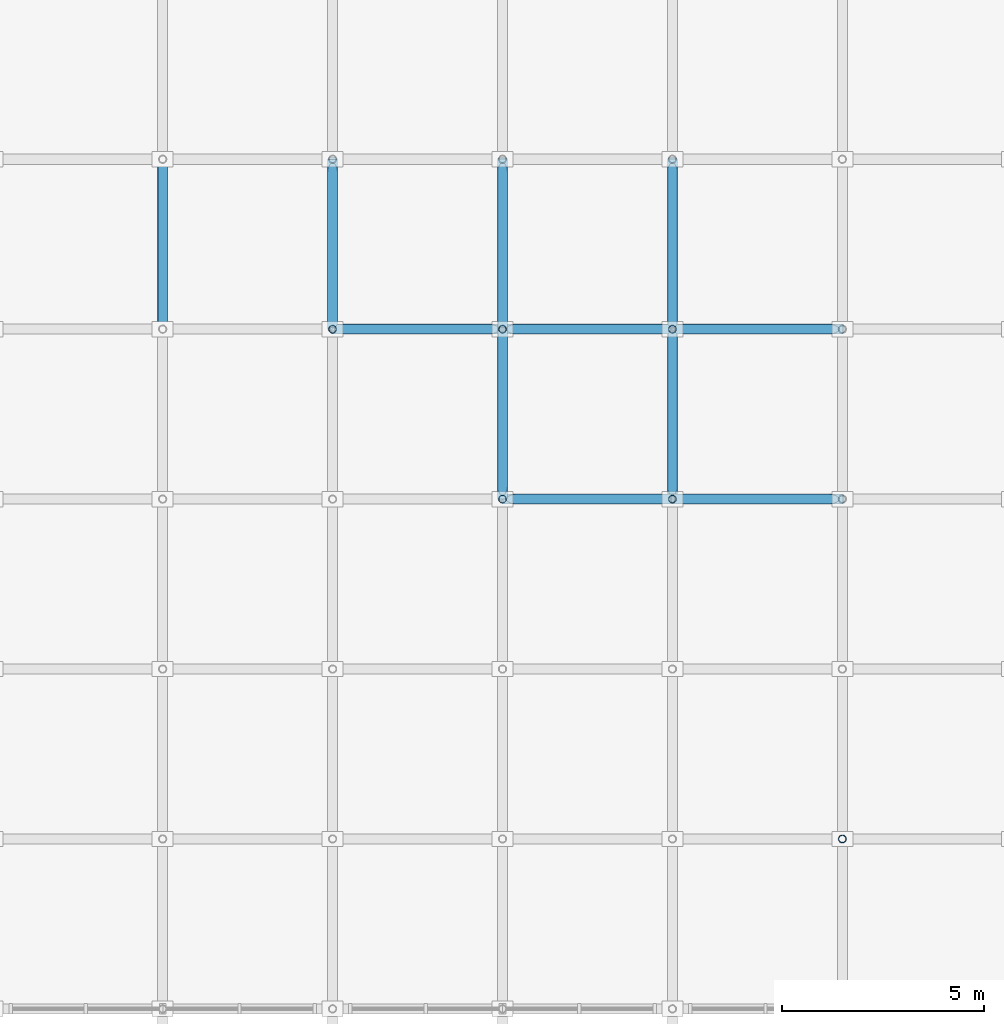
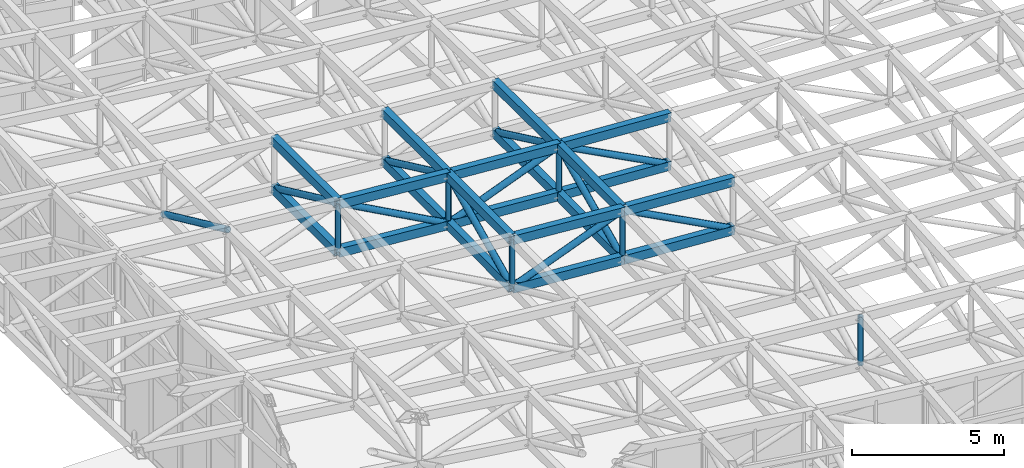
# One storey, part 27 of 111: 37 members.
"""IFC4 building model written with IfcOpenShell, lengths in metres."""

from ifc_helpers import new_model, si_unit, direction, frame, origin, origin_2d, place, context, subcontext, project, spatial, hollow_rectangle, hollow_circle, extrude, material, material_profile, profile_set, type_object, element, save


model = new_model("IFC4")

# Units and contexts
model_context = context("Model", 3, precision=1e-05, world=origin(), true_north=direction((0.0, 1.0)))
body_context = subcontext(model_context, "Body", "Model", "MODEL_VIEW")
ifc_project = project(units=[si_unit("LENGTHUNIT", "METRE"), si_unit("AREAUNIT", "SQUARE_METRE"), si_unit("VOLUMEUNIT", "CUBIC_METRE"), si_unit("PLANEANGLEUNIT", "RADIAN"), si_unit("MASSUNIT", "GRAM", prefix="KILO")], contexts=[model_context])

# Site, building, storey
site_placement = place(None, origin())
site = spatial("IfcSite", under=ifc_project, at=site_placement, CompositionType="ELEMENT")
building_placement = place(site_placement, origin())
building = spatial("IfcBuilding", under=site, at=building_placement, Name="Cumbredor Promenade Congress Hotel", CompositionType="ELEMENT")
storey_placement = place(building_placement, frame((0.0, 0.0, 15.1201171875)))
storey = spatial("IfcBuildingStorey", under=building, at=storey_placement, Name="L04", CompositionType="ELEMENT", Elevation=15.1201171875)

# Members
ifc_material = material(Name="Steel ASTM A500 Grade C", Category="steel")
ifc_material_profile_1 = material_profile(ifc_material, hollow_rectangle(XDim=0.25, YDim=0.35009765625, WallThickness=0.01611328125, at=origin_2d()), Name="HSS 350x250x16")
ifc_profile_set_1 = profile_set([ifc_material_profile_1], Name="Steel ASTM A500 Grade C")
member_type_1 = type_object("IfcMemberType", Name="Forum Roof Truss Chord", PredefinedType="CHORD", material=ifc_profile_set_1)
for number, where, z_axis, x_axis, name in (
    (1, (105.0, 96.60009765625, 5.661865234375), (0.997178629164, 0.0, -0.075065181931), (0.0, 1.0, 0.0), "Pre-Function and Breakout Meeting Forum X Top Chord 5.5"),
    (2, (105.0, 96.60009765625, 3.711669921875), (0.997182966423, 0.0, -0.075007542786), (0.0, 1.0, 0.0), "Pre-Function and Breakout Meeting Forum X Bottom Chord 5.5"),
):
    element("IfcMember", number, at=place(storey_placement, frame(where, z_axis=z_axis, x_axis=x_axis)), inside=storey, type_object=member_type_1, Name=name, PredefinedType="CHORD", context=body_context, shape_type="SweptSolid", body=[
        extrude(hollow_rectangle(XDim=0.25, YDim=0.35009765625, WallThickness=0.01611328125, at=origin_2d()), origin(), (0.0, 0.0, 1.0), 4.2119140625),
    ])
for number, where, z_axis, x_axis, name in (
    (3, (109.199951171875, 96.60009765625, 5.345703125), (0.997980366164, 0.0, -0.063523135555), (0.0, 1.0, 0.0), "Pre-Function and Breakout Meeting Forum X Top Chord 6.5"),
    (4, (109.199951171875, 96.60009765625, 3.395751953125), (0.997980366164, 0.0, -0.063523135555), (0.0, 1.0, 0.0), "Pre-Function and Breakout Meeting Forum X Bottom Chord 6.5"),
):
    element("IfcMember", number, at=place(storey_placement, frame(where, z_axis=z_axis, x_axis=x_axis)), inside=storey, type_object=member_type_1, Name=name, PredefinedType="CHORD", context=body_context, shape_type="SweptSolid", body=[
        extrude(hollow_rectangle(XDim=0.25, YDim=0.35009765625, WallThickness=0.01611328125, at=origin_2d()), origin(), (0.0, 0.0, 1.0), 4.20849609375),
    ])
for number, where, z_axis, x_axis, name in (
    (5, (100.800048828125, 100.800048828125, 6.026611328125), (0.9966105758, 0.0, -0.082263966613), (0.0, 1.0, 0.0), "Pre-Function and Breakout Meeting Forum X Top Chord 4.6"),
    (6, (100.800048828125, 100.800048828125, 4.07666015625), (0.9966105758, 0.0, -0.082263966613), (0.0, 1.0, 0.0), "Pre-Function and Breakout Meeting Forum X Bottom Chord 4.6"),
):
    element("IfcMember", number, at=place(storey_placement, frame(where, z_axis=z_axis, x_axis=x_axis)), inside=storey, type_object=member_type_1, Name=name, PredefinedType="CHORD", context=body_context, shape_type="SweptSolid", body=[
        extrude(hollow_rectangle(XDim=0.25, YDim=0.35009765625, WallThickness=0.01611328125, at=origin_2d()), origin(), (0.0, 0.0, 1.0), 4.21435546875),
    ])
for number, where, z_axis, x_axis, name in (
    (7, (105.0, 100.800048828125, 5.679931640625), (0.997449567716, 0.0, -0.071374784506), (0.0, 1.0, 0.0), "Pre-Function and Breakout Meeting Forum X Top Chord 5.6"),
    (8, (105.0, 100.800048828125, 3.72998046875), (0.997445438228, 0.0, -0.071432469912), (0.0, 1.0, 0.0), "Pre-Function and Breakout Meeting Forum X Bottom Chord 5.6"),
):
    element("IfcMember", number, at=place(storey_placement, frame(where, z_axis=z_axis, x_axis=x_axis)), inside=storey, type_object=member_type_1, Name=name, PredefinedType="CHORD", context=body_context, shape_type="SweptSolid", body=[
        extrude(hollow_rectangle(XDim=0.25, YDim=0.35009765625, WallThickness=0.01611328125, at=origin_2d()), origin(), (0.0, 0.0, 1.0), 4.210693359375),
    ])
for number, where, z_axis, x_axis, name in (
    (9, (109.199951171875, 100.800048828125, 5.37939453125), (0.998170619458, 0.0, -0.06046002357), (0.0, 1.0, 0.0), "Pre-Function and Breakout Meeting Forum X Top Chord 6.6"),
    (10, (109.199951171875, 100.800048828125, 3.42919921875), (0.998170619458, 0.0, -0.06046002357), (0.0, 1.0, 0.0), "Pre-Function and Breakout Meeting Forum X Bottom Chord 6.6"),
):
    element("IfcMember", number, at=place(storey_placement, frame(where, z_axis=z_axis, x_axis=x_axis)), inside=storey, type_object=member_type_1, Name=name, PredefinedType="CHORD", context=body_context, shape_type="SweptSolid", body=[
        extrude(hollow_rectangle(XDim=0.25, YDim=0.35009765625, WallThickness=0.01611328125, at=origin_2d()), origin(), (0.0, 0.0, 1.0), 4.207763671875),
    ])
for number, where, z_axis, x_axis, name in (
    (11, (100.800048828125, 100.800048828125, 6.026611328125), (0.0, 0.99999999831, -5.8129396e-05), (-1.0, 0.0, 0.0), "Pre-Function and Breakout Meeting Forum Y Top Chord 4.6"),
    (12, (100.800048828125, 100.800048828125, 4.07666015625), (0.0, 0.99999999831, -5.8129396e-05), (-1.0, 0.0, 0.0), "Pre-Function and Breakout Meeting Forum Y Bottom Chord 4.6"),
    (13, (105.0, 96.60009765625, 5.661865234375), (0.0, 0.999990748353, 0.00430153551), (-1.0, 0.0, 0.0), "Pre-Function and Breakout Meeting Forum Y Top Chord 5.5"),
    (14, (105.0, 96.60009765625, 3.711669921875), (0.0, 0.999990496623, 0.004359663271), (-1.0, 0.0, 0.0), "Pre-Function and Breakout Meeting Forum Y Bottom Chord 5.5"),
    (15, (105.0, 100.800048828125, 5.679931640625), (0.0, 0.999990748353, -0.00430153551), (-1.0, 0.0, 0.0), "Pre-Function and Breakout Meeting Forum Y Top Chord 5.6"),
    (16, (105.0, 100.800048828125, 3.72998046875), (0.0, 0.999990496623, -0.004359663271), (-1.0, 0.0, 0.0), "Pre-Function and Breakout Meeting Forum Y Bottom Chord 5.6"),
):
    element("IfcMember", number, at=place(storey_placement, frame(where, z_axis=z_axis, x_axis=x_axis)), inside=storey, type_object=member_type_1, Name=name, PredefinedType="CHORD", context=body_context, shape_type="SweptSolid", body=[
        extrude(hollow_rectangle(XDim=0.25, YDim=0.35009765625, WallThickness=0.01611328125, at=origin_2d()), origin(), (0.0, 0.0, 1.0), 4.199951171875),
    ])
for number, where, z_axis, x_axis, name in (
    (17, (109.199951171875, 96.60009765625, 5.345703125), (0.0, 0.999967826461, 0.008021598561), (-1.0, 0.0, 0.0), "Pre-Function and Breakout Meeting Forum Y Top Chord 6.5"),
    (18, (109.199951171875, 96.60009765625, 3.395751953125), (0.0, 0.999968291032, 0.007963474735), (-1.0, 0.0, 0.0), "Pre-Function and Breakout Meeting Forum Y Bottom Chord 6.5"),
    (19, (109.199951171875, 100.800048828125, 5.37939453125), (0.0, 0.999967826461, -0.008021598561), (-1.0, 0.0, 0.0), "Pre-Function and Breakout Meeting Forum Y Top Chord 6.6"),
    (20, (109.199951171875, 100.800048828125, 3.42919921875), (0.0, 0.999968291032, -0.007963474735), (-1.0, 0.0, 0.0), "Pre-Function and Breakout Meeting Forum Y Bottom Chord 6.6"),
):
    element("IfcMember", number, at=place(storey_placement, frame(where, z_axis=z_axis, x_axis=x_axis)), inside=storey, type_object=member_type_1, Name=name, PredefinedType="CHORD", context=body_context, shape_type="SweptSolid", body=[
        extrude(hollow_rectangle(XDim=0.25, YDim=0.35009765625, WallThickness=0.01611328125, at=origin_2d()), origin(), (0.0, 0.0, 1.0), 4.2001953125),
    ])
ifc_material_profile_2 = material_profile(ifc_material, hollow_circle(Radius=0.122314453125, WallThickness=0.012451171875, at=origin_2d()), Name="CHS 244.5x12.5")
ifc_profile_set_2 = profile_set([ifc_material_profile_2], Name="Steel ASTM A500 Grade C")
member_type_2 = type_object("IfcMemberType", Name="Space Frame Web Diagonal D2", PredefinedType="BRACE", material=ifc_profile_set_2)
member_1_placement = place(storey_placement, frame((105.0, 96.60009765625, 3.711669921875), z_axis=(0.931950777982, 0.0, 0.362584814104), x_axis=(0.0, 1.0, 0.0)))
element("IfcMember", 21, at=member_1_placement, inside=storey, type_object=member_type_2, Name="Pre-Function and Breakout Meeting Forum X Web Diagonal 5.5", PredefinedType="BRACE", context=body_context, shape_type="SweptSolid", body=[
    extrude(hollow_circle(Radius=0.122314453125, WallThickness=0.012451171875, at=origin_2d()), origin(), (0.0, 0.0, 1.0), 4.506591796875),
])
member_2_placement = place(storey_placement, frame((109.199951171875, 96.60009765625, 5.345703125), z_axis=(0.884328749548, 0.0, -0.466864715654), x_axis=(0.0, 1.0, 0.0)))
element("IfcMember", 22, at=member_2_placement, inside=storey, type_object=member_type_2, Name="Pre-Function and Breakout Meeting Forum X Web Diagonal 6.5", PredefinedType="BRACE", context=body_context, shape_type="SweptSolid", body=[
    extrude(hollow_circle(Radius=0.122314453125, WallThickness=0.012451171875, at=origin_2d()), origin(), (0.0, 0.0, 1.0), 4.749267578125),
])
member_3_placement = place(storey_placement, frame((100.800048828125, 100.800048828125, 6.026611328125), z_axis=(0.877390261073, 0.0, -0.47977737522), x_axis=(0.0, 1.0, 0.0)))
element("IfcMember", 23, at=member_3_placement, inside=storey, type_object=member_type_2, Name="Pre-Function and Breakout Meeting Forum X Web Diagonal 4.6", PredefinedType="BRACE", context=body_context, shape_type="SweptSolid", body=[
    extrude(hollow_circle(Radius=0.122314453125, WallThickness=0.012451171875, at=origin_2d()), origin(), (0.0, 0.0, 1.0), 4.786865234375),
])
member_4_placement = place(storey_placement, frame((105.0, 100.800048828125, 3.72998046875), z_axis=(0.93079423421, 0.0, 0.365543559049), x_axis=(0.0, 1.0, 0.0)))
element("IfcMember", 24, at=member_4_placement, inside=storey, type_object=member_type_2, Name="Pre-Function and Breakout Meeting Forum X Web Diagonal 5.6", PredefinedType="BRACE", context=body_context, shape_type="SweptSolid", body=[
    extrude(hollow_circle(Radius=0.122314453125, WallThickness=0.012451171875, at=origin_2d()), origin(), (0.0, 0.0, 1.0), 4.51220703125),
])
member_5_placement = place(storey_placement, frame((109.199951171875, 100.800048828125, 5.37939453125), z_axis=(0.885431263742, 0.0, -0.464770348869), x_axis=(0.0, 1.0, 0.0)))
element("IfcMember", 25, at=member_5_placement, inside=storey, type_object=member_type_2, Name="Pre-Function and Breakout Meeting Forum X Web Diagonal 6.6", PredefinedType="BRACE", context=body_context, shape_type="SweptSolid", body=[
    extrude(hollow_circle(Radius=0.122314453125, WallThickness=0.012451171875, at=origin_2d()), origin(), (0.0, 0.0, 1.0), 4.743408203125),
])
member_6_placement = place(storey_placement, frame((96.60009765625, 100.800048828125, 6.419677734375), z_axis=(0.0, 0.908658429434, -0.417540247903), x_axis=(-1.0, 0.0, 0.0)))
element("IfcMember", 26, at=member_6_placement, inside=storey, type_object=member_type_2, Name="Pre-Function and Breakout Meeting Forum Y Web Diagonal 3.6", PredefinedType="BRACE", context=body_context, shape_type="SweptSolid", body=[
    extrude(hollow_circle(Radius=0.122314453125, WallThickness=0.012451171875, at=origin_2d()), origin(), (0.0, 0.0, 1.0), 4.6220703125),
])
member_7_placement = place(storey_placement, frame((100.800048828125, 100.800048828125, 6.026611328125), z_axis=(0.0, 0.90699098694, -0.421150032185), x_axis=(-1.0, 0.0, 0.0)))
element("IfcMember", 27, at=member_7_placement, inside=storey, type_object=member_type_2, Name="Pre-Function and Breakout Meeting Forum Y Web Diagonal 4.6", PredefinedType="BRACE", context=body_context, shape_type="SweptSolid", body=[
    extrude(hollow_circle(Radius=0.122314453125, WallThickness=0.012451171875, at=origin_2d()), origin(), (0.0, 0.0, 1.0), 4.630615234375),
])
for number, where, z_axis, x_axis, name in (
    (28, (105.0, 96.60009765625, 3.711669921875), (0.0, 0.905497492639, 0.424351612257), (-1.0, 0.0, 0.0), "Pre-Function and Breakout Meeting Forum Y Web Diagonal 5.5"),
    (29, (105.0, 100.800048828125, 5.679931640625), (0.0, 0.905497492639, -0.424351612257), (-1.0, 0.0, 0.0), "Pre-Function and Breakout Meeting Forum Y Web Diagonal 5.6"),
):
    element("IfcMember", number, at=place(storey_placement, frame(where, z_axis=z_axis, x_axis=x_axis)), inside=storey, type_object=member_type_2, Name=name, PredefinedType="BRACE", context=body_context, shape_type="SweptSolid", body=[
        extrude(hollow_circle(Radius=0.122314453125, WallThickness=0.012451171875, at=origin_2d()), origin(), (0.0, 0.0, 1.0), 4.63818359375),
    ])
for number, where, z_axis, x_axis, name in (
    (30, (109.199951171875, 96.60009765625, 3.395751953125), (0.0, 0.904221020881, 0.42706480234), (-1.0, 0.0, 0.0), "Pre-Function and Breakout Meeting Forum Y Web Diagonal 6.5"),
    (31, (109.199951171875, 100.800048828125, 5.37939453125), (0.0, 0.904221020881, -0.42706480234), (-1.0, 0.0, 0.0), "Pre-Function and Breakout Meeting Forum Y Web Diagonal 6.6"),
):
    element("IfcMember", number, at=place(storey_placement, frame(where, z_axis=z_axis, x_axis=x_axis)), inside=storey, type_object=member_type_2, Name=name, PredefinedType="BRACE", context=body_context, shape_type="SweptSolid", body=[
        extrude(hollow_circle(Radius=0.122314453125, WallThickness=0.012451171875, at=origin_2d()), origin(), (0.0, 0.0, 1.0), 4.644775390625),
    ])
ifc_material_profile_3 = material_profile(ifc_material, hollow_circle(Radius=0.096923828125, WallThickness=0.010009765625, at=origin_2d()), Name="CHS 193.7x10")
ifc_profile_set_3 = profile_set([ifc_material_profile_3], Name="Steel ASTM A500 Grade C")
member_type_3 = type_object("IfcMemberType", Name="Space Frame Web Post P1", PredefinedType="BRACE", material=ifc_profile_set_3)
member_8_placement = place(storey_placement, frame((100.800048828125, 100.800048828125, 4.07666015625), z_axis=(0.0, 0.0, 1.0), x_axis=(1.0, 0.0, 0.0)))
element("IfcMember", 32, at=member_8_placement, inside=storey, type_object=member_type_3, Name="Pre-Function and Breakout Meeting Forum Space Frame Web Post 4.6", PredefinedType="BRACE", context=body_context, shape_type="SweptSolid", body=[
    extrude(hollow_circle(Radius=0.096923828125, WallThickness=0.010009765625, at=origin_2d()), origin(), (0.0, 0.0, 1.0), 1.949951171875),
])
member_9_placement = place(storey_placement, frame((105.0, 96.60009765625, 3.711669921875), z_axis=(0.0, 0.0, 1.0), x_axis=(1.0, 0.0, 0.0)))
element("IfcMember", 33, at=member_9_placement, inside=storey, type_object=member_type_3, Name="Pre-Function and Breakout Meeting Forum Space Frame Web Post 5.5", PredefinedType="BRACE", context=body_context, shape_type="SweptSolid", body=[
    extrude(hollow_circle(Radius=0.096923828125, WallThickness=0.010009765625, at=origin_2d()), origin(), (0.0, 0.0, 1.0), 1.9501953125),
])
for number, where, z_axis, x_axis, name in (
    (34, (105.0, 100.800048828125, 3.72998046875), (0.0, 0.0, 1.0), (1.0, 0.0, 0.0), "Pre-Function and Breakout Meeting Forum Space Frame Web Post 5.6"),
    (35, (109.199951171875, 96.60009765625, 3.395751953125), (0.0, 0.0, 1.0), (1.0, 0.0, 0.0), "Pre-Function and Breakout Meeting Forum Space Frame Web Post 6.5"),
):
    element("IfcMember", number, at=place(storey_placement, frame(where, z_axis=z_axis, x_axis=x_axis)), inside=storey, type_object=member_type_3, Name=name, PredefinedType="BRACE", context=body_context, shape_type="SweptSolid", body=[
        extrude(hollow_circle(Radius=0.096923828125, WallThickness=0.010009765625, at=origin_2d()), origin(), (0.0, 0.0, 1.0), 1.949951171875),
    ])
member_10_placement = place(storey_placement, frame((109.199951171875, 100.800048828125, 3.42919921875), z_axis=(0.0, 0.0, 1.0), x_axis=(1.0, 0.0, 0.0)))
element("IfcMember", 36, at=member_10_placement, inside=storey, type_object=member_type_3, Name="Pre-Function and Breakout Meeting Forum Space Frame Web Post 6.6", PredefinedType="BRACE", context=body_context, shape_type="SweptSolid", body=[
    extrude(hollow_circle(Radius=0.096923828125, WallThickness=0.010009765625, at=origin_2d()), origin(), (0.0, 0.0, 1.0), 1.9501953125),
])
member_11_placement = place(storey_placement, frame((113.39990234375, 88.199951171875, 2.7568359375), z_axis=(0.0, 0.0, 1.0), x_axis=(1.0, 0.0, 0.0)))
element("IfcMember", 37, at=member_11_placement, inside=storey, type_object=member_type_3, Name="Pre-Function and Breakout Meeting Forum Space Frame Web Post 7.3", PredefinedType="BRACE", context=body_context, shape_type="SweptSolid", body=[
    extrude(hollow_circle(Radius=0.096923828125, WallThickness=0.010009765625, at=origin_2d()), origin(), (0.0, 0.0, 1.0), 1.949951171875),
])

save(model, "model.ifc")
